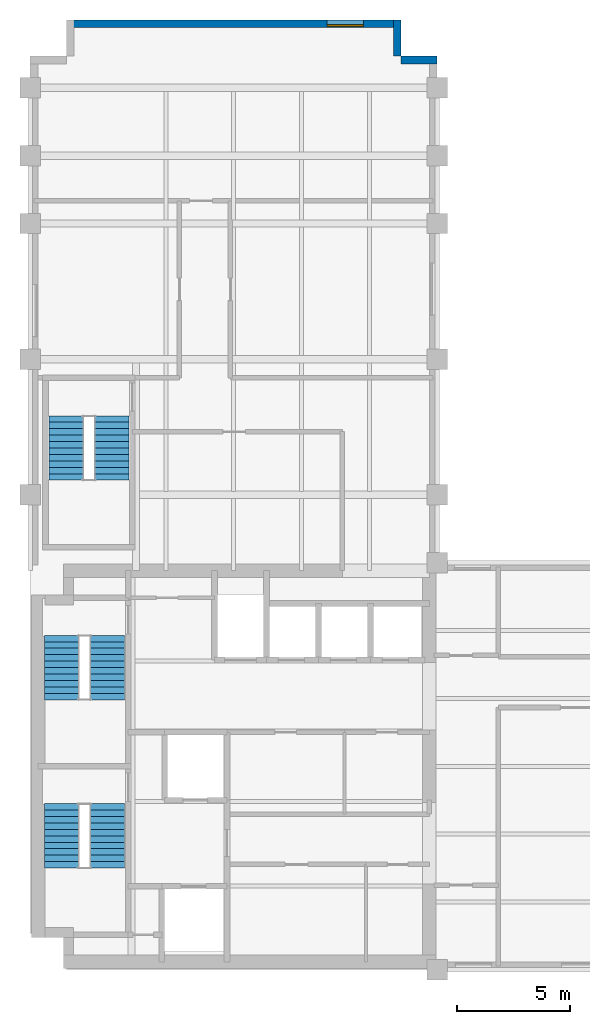
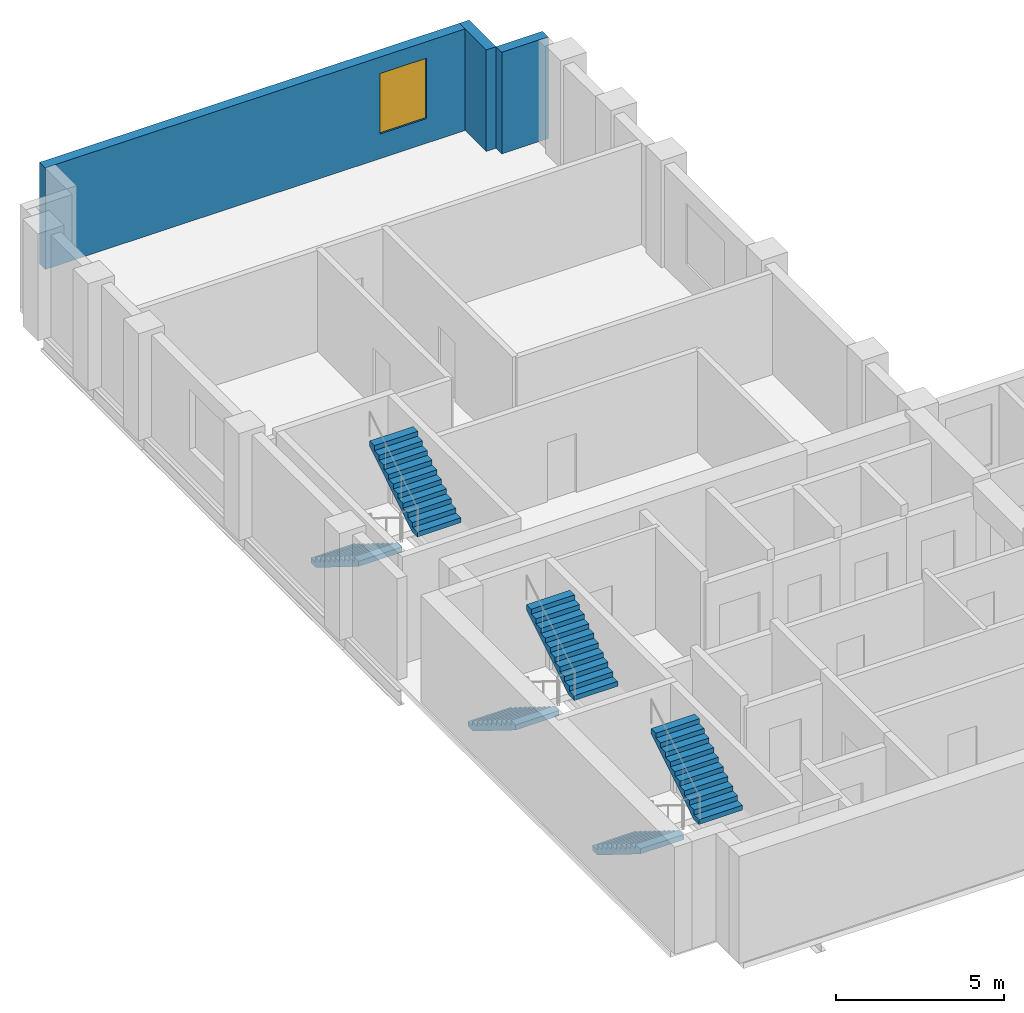
# One storey, part 5 of 6: 6 stair flights, 3 walls, 1 window, 1 opening, 3 elements without a shape of their own.
"""IFC4 building model written with IfcOpenShell, lengths in metres."""

from ifc_helpers import new_model, si_unit, direction, frame, frame_2d, origin, place, context, subcontext, project, spatial, polyline, rectangle, outline, extrude, material, layer, layer_set, type_object, element, fill, aggregate, save


model = new_model("IFC4")

# Units and contexts
model_context = context("Model", 3, precision=1e-05, world=origin(), true_north=direction((0.0, 1.0)))
body_context = subcontext(model_context, "Body", "Model", "MODEL_VIEW")
ifc_project = project(units=[si_unit("LENGTHUNIT", "METRE"), si_unit("AREAUNIT", "SQUARE_METRE"), si_unit("VOLUMEUNIT", "CUBIC_METRE"), si_unit("PLANEANGLEUNIT", "RADIAN"), si_unit("MASSUNIT", "GRAM", prefix="KILO")], contexts=[model_context])

# Site, building, storey
site_placement = place(None, origin())
site = spatial("IfcSite", under=ifc_project, at=site_placement, CompositionType="ELEMENT")
building_placement = place(site_placement, origin())
building = spatial("IfcBuilding", under=site, at=building_placement, Name="Mawjdan Bourse Tower", CompositionType="ELEMENT")
storey_placement = place(building_placement, frame((0.0, 0.0, 180.0)))
storey = spatial("IfcBuildingStorey", under=building, at=storey_placement, Name="L43", CompositionType="ELEMENT", Elevation=180.0)

# Walls
ifc_material_1 = material(Name="Brick Masonry Buff", Category="masonry")
ifc_layer = layer(ifc_material_1, 0.340087890625)
ifc_layer_set = layer_set([ifc_layer], Name="Brick Masonry Buff")
wall_type = type_object("IfcWallType", Name="WL-BRK-SPN-340", PredefinedType="STANDARD", material=ifc_layer_set)
for number, where, z_axis, x_axis, name in (
    (1, (24.0, 43.22998046875, 0.0), (0.0, 0.0, 1.0), (-1.0, 0.0, 0.0), "L43 Exterior Brick Wall 9"),
    (2, (22.22998046875, 43.39990234375, 0.0), (0.0, 0.0, 1.0), (0.0, 1.0, 0.0), "L43 Exterior Brick Wall 10"),
):
    element("IfcWall", number, at=place(storey_placement, frame(where, z_axis=z_axis, x_axis=x_axis)), inside=storey, type_object=wall_type, Name=name, PredefinedType="STANDARD", context=body_context, shape_type="SweptSolid", body=[
        extrude(rectangle(XDim=1.60009765625, YDim=0.340087890625, at=frame_2d((0.800048828125, 0.0))), origin(), (0.0, 0.0, 1.0), 3.699951171875),
    ])

# Wall, opening, window
wall_placement = place(storey_placement, frame((22.39990234375, 44.830078125, 0.0), z_axis=(0.0, 0.0, 1.0), x_axis=(-1.0, 0.0, 0.0)))
wall = element("IfcWall", 3, at=wall_placement, inside=storey, type_object=wall_type, Name="L43 Exterior Brick Wall 11", PredefinedType="STANDARD", context=body_context, shape_type="SweptSolid", body=[
    extrude(rectangle(XDim=14.7998046875, YDim=0.340087890625, at=frame_2d((7.39990234375, 0.0))), origin(), (0.0, 0.0, 1.0), 3.699951171875),
])
opening_placement = place(wall_placement, frame((1.666748046875, 0.0, 0.89990234375)))
opening = element("IfcOpeningElement", 4, at=opening_placement, cuts=wall, Name="Opening W-L43-06", PredefinedType="OPENING", context=body_context, shape_type="SweptSolid", body=[
    extrude(rectangle(XDim=1.60009765625, YDim=2.199951171875, at=frame_2d((0.800048828125, 1.10009765625))), frame((0.0, 0.18017578125, 0.0), z_axis=(0.0, -1.0, 0.0), x_axis=(1.0, 0.0, 0.0)), (0.0, 0.0, 1.0), 0.360107421875),
])
ifc_material_2 = material(Name="Solar-Control Clear Double Glazing", Category="glass")
window_type = type_object("IfcWindowType", Name="WN-Z3-1600", PartitioningType="SINGLE_PANEL", PredefinedType="WINDOW", material=ifc_material_2)
window_placement = place(opening_placement, origin())
window = element("IfcWindow", 5, at=window_placement, inside=storey, type_object=window_type, Name="L43 Deep-Set Masonry Window W-L43-06", OverallHeight=2.199951171875, OverallWidth=1.60009765625, PartitioningType="SINGLE_PANEL", PredefinedType="WINDOW", context=body_context, shape_type="SweptSolid", body=[
    extrude(rectangle(XDim=1.60009765625, YDim=2.199951171875, at=frame_2d((0.800048828125, 1.10009765625))), frame((0.0, 0.110107421875, 0.0), z_axis=(0.0, -1.0, 0.0), x_axis=(1.0, 0.0, 0.0)), (0.0, 0.0, 1.0), 0.06005859375),
])
fill(opening, window)

# Stair, stair flights
ifc_material_3 = material(Name="Concrete C50/60", Category="concrete")
stair_type = type_object("IfcStairType", Name="STR-CORE-1500", PredefinedType="HALF_TURN_STAIR", material=ifc_material_3)
stair_1_placement = place(storey_placement, origin())
stair_1 = element("IfcStair", 6, at=stair_1_placement, inside=storey, type_object=stair_type, Name="L43 Exit Stair 1 (Core South-West)", PredefinedType="HALF_TURN_STAIR")
stair_flight_type = type_object("IfcStairFlightType", Name="SFL-RC-1500", PredefinedType="STRAIGHT", material=ifc_material_3)
stair_flight_1_placement = place(storey_placement, frame((7.389892578125, 10.35009765625, 0.0), z_axis=(0.0, 0.0, 1.0), x_axis=(0.0, -1.0, 0.0)))
stair_flight_1 = element("IfcStairFlight", 7, at=stair_flight_1_placement, type_object=stair_flight_type, Name="ST1-L43 flight 1", NumberOfRisers=11, NumberOfTreads=10, PredefinedType="STRAIGHT", RiserHeight=0.177273, TreadLength=0.285, context=body_context, shape_type="SweptSolid", body=[
    extrude(outline(polyline([(0.0, 0.0), (0.0, 0.17724609375), (0.284912109375, 0.17724609375), (0.284912109375, 0.3544921875), (0.570068359375, 0.3544921875), (0.570068359375, 0.53173828125), (0.85498046875, 0.53173828125), (0.85498046875, 0.708984375), (1.139892578125, 0.708984375), (1.139892578125, 0.886474609375), (1.425048828125, 0.886474609375), (1.425048828125, 1.063720703125), (1.7099609375, 1.063720703125), (1.7099609375, 1.240966796875), (1.9951171875, 1.240966796875), (1.9951171875, 1.418212890625), (2.280029296875, 1.418212890625), (2.280029296875, 1.595458984375), (2.56494140625, 1.595458984375), (2.56494140625, 1.772705078125), (2.85009765625, 1.772705078125), (2.85009765625, 1.949951171875), (2.85009765625, 1.58447265625), (0.302734375, 0.0), (0.0, 0.0)])), frame((0.0, 0.75, 0.0), z_axis=(0.0, -1.0, 0.0), x_axis=(1.0, 0.0, 0.0)), (0.0, 0.0, 1.0), 1.5),
])
stair_flight_2_placement = place(storey_placement, frame((9.409912109375, 7.5, 1.949951171875), z_axis=(0.0, 0.0, 1.0), x_axis=(0.0, 1.0, 0.0)))
stair_flight_2 = element("IfcStairFlight", 8, at=stair_flight_2_placement, type_object=stair_flight_type, Name="ST1-L43 flight 2", NumberOfRisers=11, NumberOfTreads=10, PredefinedType="STRAIGHT", RiserHeight=0.177273, TreadLength=0.285, context=body_context, shape_type="SweptSolid", body=[
    extrude(outline(polyline([(0.0, 0.0), (0.0, 0.17724609375), (0.284912109375, 0.17724609375), (0.284912109375, 0.3544921875), (0.570068359375, 0.3544921875), (0.570068359375, 0.53173828125), (0.85498046875, 0.53173828125), (0.85498046875, 0.708984375), (1.139892578125, 0.708984375), (1.139892578125, 0.886474609375), (1.425048828125, 0.886474609375), (1.425048828125, 1.063720703125), (1.7099609375, 1.063720703125), (1.7099609375, 1.240966796875), (1.9951171875, 1.240966796875), (1.9951171875, 1.418212890625), (2.280029296875, 1.418212890625), (2.280029296875, 1.595458984375), (2.56494140625, 1.595458984375), (2.56494140625, 1.772705078125), (2.85009765625, 1.772705078125), (2.85009765625, 1.949951171875), (2.85009765625, 1.58447265625), (0.302734375, 0.0), (0.0, 0.0)])), frame((0.0, 0.75, 0.0), z_axis=(0.0, -1.0, 0.0), x_axis=(1.0, 0.0, 0.0)), (0.0, 0.0, 1.0), 1.5),
])
aggregate(stair_1, [stair_flight_1, stair_flight_2])

stair_2_placement = place(storey_placement, origin())
stair_2 = element("IfcStair", 9, at=stair_2_placement, inside=storey, type_object=stair_type, Name="L43 Exit Stair 2 (Core North-West)", PredefinedType="HALF_TURN_STAIR")
stair_flight_3_placement = place(storey_placement, frame((7.389892578125, 17.7900390625, 0.0), z_axis=(0.0, 0.0, 1.0), x_axis=(0.0, -1.0, 0.0)))
stair_flight_3 = element("IfcStairFlight", 10, at=stair_flight_3_placement, type_object=stair_flight_type, Name="ST2-L43 flight 1", NumberOfRisers=11, NumberOfTreads=10, PredefinedType="STRAIGHT", RiserHeight=0.177273, TreadLength=0.285, context=body_context, shape_type="SweptSolid", body=[
    extrude(outline(polyline([(0.0, 0.0), (0.0, 0.17724609375), (0.284912109375, 0.17724609375), (0.284912109375, 0.3544921875), (0.570068359375, 0.3544921875), (0.570068359375, 0.53173828125), (0.85498046875, 0.53173828125), (0.85498046875, 0.708984375), (1.139892578125, 0.708984375), (1.139892578125, 0.886474609375), (1.425048828125, 0.886474609375), (1.425048828125, 1.063720703125), (1.7099609375, 1.063720703125), (1.7099609375, 1.240966796875), (1.9951171875, 1.240966796875), (1.9951171875, 1.418212890625), (2.280029296875, 1.418212890625), (2.280029296875, 1.595458984375), (2.56494140625, 1.595458984375), (2.56494140625, 1.772705078125), (2.85009765625, 1.772705078125), (2.85009765625, 1.949951171875), (2.85009765625, 1.58447265625), (0.302734375, 0.0), (0.0, 0.0)])), frame((0.0, 0.75, 0.0), z_axis=(0.0, -1.0, 0.0), x_axis=(1.0, 0.0, 0.0)), (0.0, 0.0, 1.0), 1.5),
])
stair_flight_4_placement = place(storey_placement, frame((9.409912109375, 14.93994140625, 1.949951171875), z_axis=(0.0, 0.0, 1.0), x_axis=(0.0, 1.0, 0.0)))
stair_flight_4 = element("IfcStairFlight", 11, at=stair_flight_4_placement, type_object=stair_flight_type, Name="ST2-L43 flight 2", NumberOfRisers=11, NumberOfTreads=10, PredefinedType="STRAIGHT", RiserHeight=0.177273, TreadLength=0.285, context=body_context, shape_type="SweptSolid", body=[
    extrude(outline(polyline([(0.0, 0.0), (0.0, 0.17724609375), (0.284912109375, 0.17724609375), (0.284912109375, 0.3544921875), (0.570068359375, 0.3544921875), (0.570068359375, 0.53173828125), (0.85498046875, 0.53173828125), (0.85498046875, 0.708984375), (1.139892578125, 0.708984375), (1.139892578125, 0.886474609375), (1.425048828125, 0.886474609375), (1.425048828125, 1.063720703125), (1.7099609375, 1.063720703125), (1.7099609375, 1.240966796875), (1.9951171875, 1.240966796875), (1.9951171875, 1.418212890625), (2.280029296875, 1.418212890625), (2.280029296875, 1.595458984375), (2.56494140625, 1.595458984375), (2.56494140625, 1.772705078125), (2.85009765625, 1.772705078125), (2.85009765625, 1.949951171875), (2.85009765625, 1.58447265625), (0.302734375, 0.0), (0.0, 0.0)])), frame((0.0, 0.75, 0.0), z_axis=(0.0, -1.0, 0.0), x_axis=(1.0, 0.0, 0.0)), (0.0, 0.0, 1.0), 1.5),
])
aggregate(stair_2, [stair_flight_3, stair_flight_4])

stair_3_placement = place(storey_placement, origin())
stair_3 = element("IfcStair", 12, at=stair_3_placement, inside=storey, type_object=stair_type, Name="L43 Exit Stair 3 (North Wing)", PredefinedType="HALF_TURN_STAIR")
stair_flight_5_placement = place(storey_placement, frame((7.590087890625, 27.5, 0.0), z_axis=(0.0, 0.0, 1.0), x_axis=(0.0, -1.0, 0.0)))
stair_flight_5 = element("IfcStairFlight", 13, at=stair_flight_5_placement, type_object=stair_flight_type, Name="ST3-L43 flight 1", NumberOfRisers=11, NumberOfTreads=10, PredefinedType="STRAIGHT", RiserHeight=0.177273, TreadLength=0.285, context=body_context, shape_type="SweptSolid", body=[
    extrude(outline(polyline([(0.0, 0.0), (0.0, 0.17724609375), (0.284912109375, 0.17724609375), (0.284912109375, 0.3544921875), (0.570068359375, 0.3544921875), (0.570068359375, 0.53173828125), (0.85498046875, 0.53173828125), (0.85498046875, 0.708984375), (1.139892578125, 0.708984375), (1.139892578125, 0.886474609375), (1.425048828125, 0.886474609375), (1.425048828125, 1.063720703125), (1.7099609375, 1.063720703125), (1.7099609375, 1.240966796875), (1.9951171875, 1.240966796875), (1.9951171875, 1.418212890625), (2.280029296875, 1.418212890625), (2.280029296875, 1.595458984375), (2.56494140625, 1.595458984375), (2.56494140625, 1.772705078125), (2.85009765625, 1.772705078125), (2.85009765625, 1.949951171875), (2.85009765625, 1.58447265625), (0.302734375, 0.0), (0.0, 0.0)])), frame((0.0, 0.75, 0.0), z_axis=(0.0, -1.0, 0.0), x_axis=(1.0, 0.0, 0.0)), (0.0, 0.0, 1.0), 1.5),
])
stair_flight_6_placement = place(storey_placement, frame((9.610107421875, 24.64990234375, 1.949951171875), z_axis=(0.0, 0.0, 1.0), x_axis=(0.0, 1.0, 0.0)))
stair_flight_6 = element("IfcStairFlight", 14, at=stair_flight_6_placement, type_object=stair_flight_type, Name="ST3-L43 flight 2", NumberOfRisers=11, NumberOfTreads=10, PredefinedType="STRAIGHT", RiserHeight=0.177273, TreadLength=0.285, context=body_context, shape_type="SweptSolid", body=[
    extrude(outline(polyline([(0.0, 0.0), (0.0, 0.17724609375), (0.284912109375, 0.17724609375), (0.284912109375, 0.3544921875), (0.570068359375, 0.3544921875), (0.570068359375, 0.53173828125), (0.85498046875, 0.53173828125), (0.85498046875, 0.708984375), (1.139892578125, 0.708984375), (1.139892578125, 0.886474609375), (1.425048828125, 0.886474609375), (1.425048828125, 1.063720703125), (1.7099609375, 1.063720703125), (1.7099609375, 1.240966796875), (1.9951171875, 1.240966796875), (1.9951171875, 1.418212890625), (2.280029296875, 1.418212890625), (2.280029296875, 1.595458984375), (2.56494140625, 1.595458984375), (2.56494140625, 1.772705078125), (2.85009765625, 1.772705078125), (2.85009765625, 1.949951171875), (2.85009765625, 1.58447265625), (0.302734375, 0.0), (0.0, 0.0)])), frame((0.0, 0.75, 0.0), z_axis=(0.0, -1.0, 0.0), x_axis=(1.0, 0.0, 0.0)), (0.0, 0.0, 1.0), 1.5),
])
aggregate(stair_3, [stair_flight_5, stair_flight_6])

save(model, "model.ifc")
